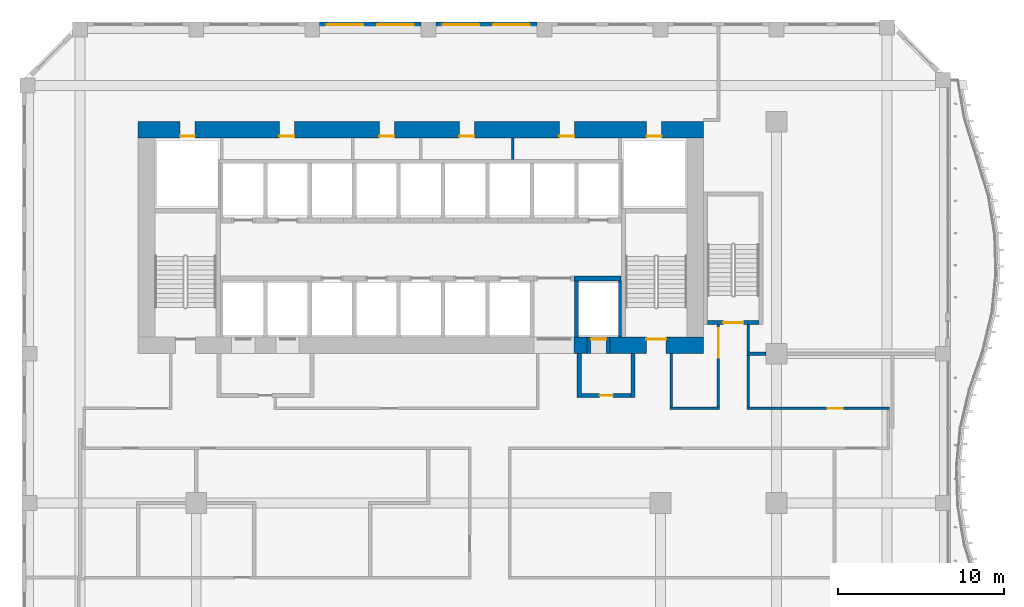
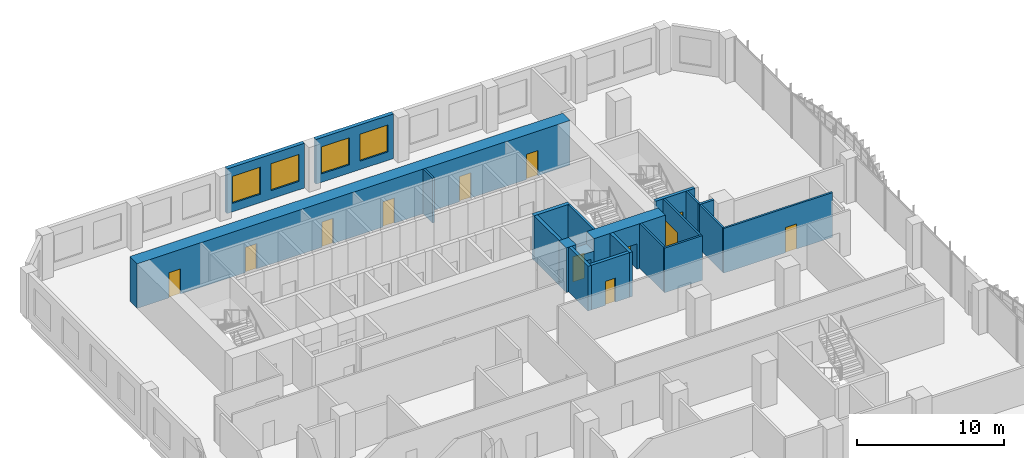
# One storey, part 14 of 25: 21 walls, 12 doors, 4 windows, 16 openings.
"""IFC4 building model written with IfcOpenShell, lengths in metres."""

from ifc_helpers import new_model, si_unit, direction, frame, frame_2d, origin, place, context, subcontext, project, spatial, rectangle, extrude, source, transform, mapped, material, layer, layer_set, type_object, element, fill, save


model = new_model("IFC4")

# Units and contexts
model_context = context("Model", 3, precision=1e-05, world=origin(), true_north=direction((0.0, 1.0)))
body_context = subcontext(model_context, "Body", "Model", "MODEL_VIEW")
ifc_project = project(units=[si_unit("LENGTHUNIT", "METRE"), si_unit("AREAUNIT", "SQUARE_METRE"), si_unit("VOLUMEUNIT", "CUBIC_METRE"), si_unit("PLANEANGLEUNIT", "RADIAN"), si_unit("MASSUNIT", "GRAM", prefix="KILO")], contexts=[model_context])

# Site, building, storey
site_placement = place(None, origin())
site = spatial("IfcSite", under=ifc_project, at=site_placement, CompositionType="ELEMENT")
building_placement = place(site_placement, origin())
building = spatial("IfcBuilding", under=site, at=building_placement, Name="Kilnfold Tower and Market Hall", CompositionType="ELEMENT")
storey_placement = place(building_placement, frame((0.0, 0.0, 67.199951171875)))
storey = spatial("IfcBuildingStorey", under=building, at=storey_placement, Name="L15", CompositionType="ELEMENT", Elevation=67.199951171875)

# Walls
ifc_material_1 = material(Name="Gypsum board on steel studs", Category="steel")
ifc_layer_1 = layer(ifc_material_1, 0.14990234375)
ifc_layer_set_1 = layer_set([ifc_layer_1], Name="Gypsum board on steel studs")
wall_type_1 = type_object("IfcWallType", Name="WALL CORRIDOR 150", PredefinedType="PARTITIONING", material=ifc_layer_set_1)
wall_1_placement = place(storey_placement, frame((16.14990234375, 4.77490234375, 0.0), z_axis=(0.0, 0.0, 1.0), x_axis=(0.0, 1.0, 0.0)))
element("IfcWall", 1, at=wall_1_placement, inside=storey, type_object=wall_type_1, Name="Partition LY12.21", PredefinedType="PARTITIONING", context=body_context, shape_type="SweptSolid", body=[
    extrude(rectangle(XDim=3.22509765625, YDim=0.14990234375, at=frame_2d((1.612548828125, 0.0))), origin(), (0.0, 0.0, 1.0), 3.719970703125),
])
wall_2_placement = place(storey_placement, frame((16.074951171875, 4.699951171875, 0.0), z_axis=(0.0, 0.0, 1.0), x_axis=(1.0, 0.0, 0.0)))
element("IfcWall", 2, at=wall_2_placement, inside=storey, type_object=wall_type_1, Name="Partition LY12.22", PredefinedType="PARTITIONING", context=body_context, shape_type="SweptSolid", body=[
    extrude(rectangle(XDim=3.0, YDim=0.14990234375, at=frame_2d((1.5, 0.0))), origin(), (0.0, 0.0, 1.0), 3.719970703125),
])

# Wall, opening, door
wall_3_placement = place(storey_placement, frame((19.0, 9.75, 0.0), z_axis=(0.0, 0.0, 1.0), x_axis=(0.0, -1.0, 0.0)))
wall_3 = element("IfcWall", 3, at=wall_3_placement, inside=storey, type_object=wall_type_1, Name="Partition LY12.23", PredefinedType="PARTITIONING", context=body_context, shape_type="SweptSolid", body=[
    extrude(rectangle(XDim=4.97509765625, YDim=0.14990234375, at=frame_2d((2.487548828125, 0.0))), origin(), (0.0, 0.0, 1.0), 3.719970703125),
])
opening_1_placement = place(wall_3_placement, frame((0.199951171875, 0.0, 0.0)))
opening_1 = element("IfcOpeningElement", 4, at=opening_1_placement, cuts=wall_3, Name="Opening D5", PredefinedType="OPENING", context=body_context, shape_type="SweptSolid", body=[
    extrude(rectangle(XDim=1.800048828125, YDim=2.10009765625, at=frame_2d((0.89990234375, 1.050048828125))), frame((0.0, 0.0849609375, 0.0), z_axis=(0.0, -1.0, 0.0), x_axis=(1.0, 0.0, 0.0)), (0.0, 0.0, 1.0), 0.169921875),
])
ifc_material_2 = material(Name="Timber veneer door leaf in steel frame", Category="steel")
door_type_1 = type_object("IfcDoorType", Name="DOOR DOUBLE 1800 X2100", OperationType="NOTDEFINED", PredefinedType="DOOR", material=ifc_material_2)
door_1_placement = place(opening_1_placement, origin())
door_1 = element("IfcDoor", 5, at=door_1_placement, inside=storey, type_object=door_type_1, Name="Door D5", OperationType="DOUBLE_DOOR_SINGLE_SWING", OverallHeight=2.10009765625, OverallWidth=1.800048828125, PredefinedType="DOOR", context=body_context, shape_type="SweptSolid", body=[
    extrude(rectangle(XDim=1.800048828125, YDim=2.10009765625, at=frame_2d((0.89990234375, 1.050048828125))), frame((0.0, 0.02490234375, 0.0), z_axis=(0.0, -1.0, 0.0), x_axis=(1.0, 0.0, 0.0)), (0.0, 0.0, 1.0), 0.050048828125),
])
fill(opening_1, door_1)

# Walls
wall_4_placement = place(storey_placement, frame((20.800048828125, 8.090087890625, 0.0), z_axis=(0.0, 0.0, 1.0), x_axis=(0.0, 1.0, 0.0)))
element("IfcWall", 6, at=wall_4_placement, inside=storey, type_object=wall_type_1, Name="Partition LY12.24", PredefinedType="PARTITIONING", context=body_context, shape_type="SweptSolid", body=[
    extrude(rectangle(XDim=1.659912109375, YDim=0.14990234375, at=frame_2d((0.830078125, 0.0))), origin(), (0.0, 0.0, 1.0), 3.719970703125),
])
wall_5_placement = place(storey_placement, frame((20.800048828125, 4.77490234375, 0.0), z_axis=(0.0, 0.0, 1.0), x_axis=(0.0, 1.0, 0.0)))
element("IfcWall", 7, at=wall_5_placement, inside=storey, type_object=wall_type_1, Name="Partition LY12.25", PredefinedType="PARTITIONING", context=body_context, shape_type="SweptSolid", body=[
    extrude(rectangle(XDim=3.135009765625, YDim=0.14990234375, at=frame_2d((1.5673828125, 0.0))), origin(), (0.0, 0.0, 1.0), 3.719970703125),
])

# Wall, opening, door
wall_6_placement = place(storey_placement, frame((20.72509765625, 4.699951171875, 0.0), z_axis=(0.0, 0.0, 1.0), x_axis=(1.0, 0.0, 0.0)))
wall_6 = element("IfcWall", 8, at=wall_6_placement, inside=storey, type_object=wall_type_1, Name="Partition LY12.26", PredefinedType="PARTITIONING", context=body_context, shape_type="SweptSolid", body=[
    extrude(rectangle(XDim=8.599853515625, YDim=0.14990234375, at=frame_2d((4.2998046875, 0.0))), origin(), (0.0, 0.0, 1.0), 3.719970703125),
])
opening_2_placement = place(wall_6_placement, frame((4.864013671875, 0.0, 0.0)))
opening_2 = element("IfcOpeningElement", 9, at=opening_2_placement, cuts=wall_6, Name="Opening D3", PredefinedType="OPENING", context=body_context, shape_type="SweptSolid", body=[
    extrude(rectangle(XDim=0.89990234375, YDim=2.10009765625, at=frame_2d((0.449951171875, 1.050048828125))), frame((0.0, 0.0849609375, 0.0), z_axis=(0.0, -1.0, 0.0), x_axis=(1.0, 0.0, 0.0)), (0.0, 0.0, 1.0), 0.169921875),
])
ifc_material_3 = material(Name="Timber veneer door leaf in steel frame", Category="steel")
door_type_2 = type_object("IfcDoorType", Name="DOOR WC 900 X2100", OperationType="NOTDEFINED", PredefinedType="DOOR", material=ifc_material_3)
door_2_placement = place(opening_2_placement, origin())
door_2 = element("IfcDoor", 10, at=door_2_placement, inside=storey, type_object=door_type_2, Name="Door D3", OperationType="SINGLE_SWING_LEFT", OverallHeight=2.10009765625, OverallWidth=0.89990234375, PredefinedType="DOOR", context=body_context, shape_type="SweptSolid", body=[
    extrude(rectangle(XDim=0.89990234375, YDim=2.10009765625, at=frame_2d((0.449951171875, 1.050048828125))), frame((0.0, 0.02490234375, 0.0), z_axis=(0.0, -1.0, 0.0), x_axis=(1.0, 0.0, 0.0)), (0.0, 0.0, 1.0), 0.050048828125),
])
fill(opening_2, door_2)

# Walls
ifc_material_4 = material(Name="Gypsum board on steel studs", Category="steel")
ifc_layer_2 = layer(ifc_material_4, 0.199951171875)
ifc_layer_set_2 = layer_set([ifc_layer_2], Name="Gypsum board on steel studs")
wall_type_2 = type_object("IfcWallType", Name="WALL PARTY 200", PredefinedType="PARTITIONING", material=ifc_layer_set_2)
wall_7_placement = place(storey_placement, frame((20.72607421875, 8.0, 0.0), z_axis=(0.0, 0.0, 1.0), x_axis=(1.0, 0.0, 0.0)))
element("IfcWall", 11, at=wall_7_placement, inside=storey, type_object=wall_type_2, Name="Partition LY12.56", PredefinedType="PARTITIONING", context=body_context, shape_type="SweptSolid", body=[
    extrude(rectangle(XDim=1.14892578125, YDim=0.199951171875, at=frame_2d((0.574462890625, 0.0))), origin(), (0.0, 0.0, 1.0), 3.719970703125),
])
ifc_material_5 = material(Name="Concrete C80", Category="concrete")
ifc_layer_3 = layer(ifc_material_5, 1.0)
ifc_layer_set_3 = layer_set([ifc_layer_3], Name="Concrete C80")
wall_type_3 = type_object("IfcWallType", Name="CORE WALL 1000 C80", PredefinedType="SHEAR", material=ifc_layer_set_3)
shared_shape_1 = source(origin(), body_context, "Body", "SweptSolid", [
    extrude(rectangle(XDim=0.780029296875, YDim=1.0, at=frame_2d((0.39013671875, 0.0))), origin(), (0.0, 0.0, 1.0), 3.719970703125),
])
wall_8_placement = place(storey_placement, frame((10.2900390625, 8.5, 0.0), z_axis=(0.0, 0.0, 1.0), x_axis=(1.0, 0.0, 0.0)))
element("IfcWall", 12, at=wall_8_placement, inside=storey, type_object=wall_type_3, Name="Core outer wall south", PredefinedType="SHEAR", context=body_context, shape_type="MappedRepresentation", body=[
    mapped(shared_shape_1, transform((0.0, 0.0, 0.0))),
])

# Wall, opening, door
shared_shape_2 = source(origin(), body_context, "Body", "SweptSolid", [
    extrude(rectangle(XDim=5.630126953125, YDim=1.0, at=frame_2d((2.81494140625, 0.0))), origin(), (0.0, 0.0, 1.0), 3.719970703125),
])
wall_9_placement = place(storey_placement, frame((12.469970703125, 8.5, 0.0), z_axis=(0.0, 0.0, 1.0), x_axis=(1.0, 0.0, 0.0)))
wall_9 = element("IfcWall", 13, at=wall_9_placement, inside=storey, type_object=wall_type_3, Name="Core outer wall south", PredefinedType="SHEAR", context=body_context, shape_type="MappedRepresentation", body=[
    mapped(shared_shape_2, transform((0.0, 0.0, 0.0))),
])
opening_3_placement = place(wall_9_placement, frame((2.179931640625, 0.0, 0.0)))
opening_3 = element("IfcOpeningElement", 14, at=opening_3_placement, cuts=wall_9, Name="Opening SD1", PredefinedType="OPENING", context=body_context, shape_type="SweptSolid", body=[
    extrude(rectangle(XDim=1.199951171875, YDim=2.10009765625, at=frame_2d((0.60009765625, 1.050048828125))), frame((0.0, 0.510009765625, 0.0), z_axis=(0.0, -1.0, 0.0), x_axis=(1.0, 0.0, 0.0)), (0.0, 0.0, 1.0), 1.02001953125),
])
ifc_material_6 = material(Name="Steel door set with fire-resisting leaf", Category="steel")
door_type_3 = type_object("IfcDoorType", Name="STAIR FLOOR DOOR 1200X2100", OperationType="NOTDEFINED", PredefinedType="DOOR", material=ifc_material_6)
door_3_placement = place(opening_3_placement, origin())
door_3 = element("IfcDoor", 15, at=door_3_placement, inside=storey, type_object=door_type_3, Name="Exit stair ST2 door", OperationType="DOUBLE_DOOR_SINGLE_SWING", OverallHeight=2.10009765625, OverallWidth=1.199951171875, PredefinedType="DOOR", context=body_context, shape_type="SweptSolid", body=[
    extrude(rectangle(XDim=1.199951171875, YDim=2.10009765625, at=frame_2d((0.60009765625, 1.050048828125))), frame((0.0, 0.40478515625, 0.0), z_axis=(0.0, -1.0, 0.0), x_axis=(1.0, 0.0, 0.0)), (0.0, 0.0, 1.0), 0.050048828125),
])
fill(opening_3, door_3)

# Wall, openings, doors
shared_shape_3 = source(origin(), body_context, "Body", "SweptSolid", [
    extrude(rectangle(XDim=34.10009765625, YDim=1.0, at=frame_2d((17.050048828125, 0.0))), origin(), (0.0, 0.0, 1.0), 3.719970703125),
])
wall_10_placement = place(storey_placement, frame((-16.0, 21.5, 0.0), z_axis=(0.0, 0.0, 1.0), x_axis=(1.0, 0.0, 0.0)))
wall_10 = element("IfcWall", 16, at=wall_10_placement, inside=storey, type_object=wall_type_3, Name="Core outer wall north", PredefinedType="SHEAR", context=body_context, shape_type="MappedRepresentation", body=[
    mapped(shared_shape_3, transform((0.0, 0.0, 0.0))),
])
opening_4_placement = place(wall_10_placement, frame((8.519775390625, 0.0, 0.0)))
opening_4 = element("IfcOpeningElement", 17, at=opening_4_placement, cuts=wall_10, Name="Opening KD1", PredefinedType="OPENING", context=body_context, shape_type="SweptSolid", body=[
    extrude(rectangle(XDim=0.89990234375, YDim=2.10009765625, at=frame_2d((0.449951171875, 1.050048828125))), frame((0.0, 0.510009765625, 0.0), z_axis=(0.0, -1.0, 0.0), x_axis=(1.0, 0.0, 0.0)), (0.0, 0.0, 1.0), 1.02001953125),
])
opening_5_placement = place(wall_10_placement, frame((14.5498046875, 0.0, 0.0)))
opening_5 = element("IfcOpeningElement", 18, at=opening_5_placement, cuts=wall_10, Name="Opening KD1", PredefinedType="OPENING", context=body_context, shape_type="SweptSolid", body=[
    extrude(rectangle(XDim=0.89990234375, YDim=2.10009765625, at=frame_2d((0.449951171875, 1.050048828125))), frame((0.0, 0.510009765625, 0.0), z_axis=(0.0, -1.0, 0.0), x_axis=(1.0, 0.0, 0.0)), (0.0, 0.0, 1.0), 1.02001953125),
])
opening_6_placement = place(wall_10_placement, frame((19.373779296875, 0.0, 0.0)))
opening_6 = element("IfcOpeningElement", 19, at=opening_6_placement, cuts=wall_10, Name="Opening KD1", PredefinedType="OPENING", context=body_context, shape_type="SweptSolid", body=[
    extrude(rectangle(XDim=0.89990234375, YDim=2.10009765625, at=frame_2d((0.449951171875, 1.050048828125))), frame((0.0, 0.510009765625, 0.0), z_axis=(0.0, -1.0, 0.0), x_axis=(1.0, 0.0, 0.0)), (0.0, 0.0, 1.0), 1.02001953125),
])
opening_7_placement = place(wall_10_placement, frame((25.40380859375, 0.0, 0.0)))
opening_7 = element("IfcOpeningElement", 20, at=opening_7_placement, cuts=wall_10, Name="Opening KD1", PredefinedType="OPENING", context=body_context, shape_type="SweptSolid", body=[
    extrude(rectangle(XDim=0.89990234375, YDim=2.10009765625, at=frame_2d((0.449951171875, 1.050048828125))), frame((0.0, 0.510009765625, 0.0), z_axis=(0.0, -1.0, 0.0), x_axis=(1.0, 0.0, 0.0)), (0.0, 0.0, 1.0), 1.02001953125),
])
opening_8_placement = place(wall_10_placement, frame((2.52490234375, 0.0, 0.0)))
opening_8 = element("IfcOpeningElement", 21, at=opening_8_placement, cuts=wall_10, Name="Opening KD1", PredefinedType="OPENING", context=body_context, shape_type="SweptSolid", body=[
    extrude(rectangle(XDim=0.89990234375, YDim=2.10009765625, at=frame_2d((0.449951171875, 1.050048828125))), frame((0.0, 0.510009765625, 0.0), z_axis=(0.0, -1.0, 0.0), x_axis=(1.0, 0.0, 0.0)), (0.0, 0.0, 1.0), 1.02001953125),
])
opening_9_placement = place(wall_10_placement, frame((30.675048828125, 0.0, 0.0)))
opening_9 = element("IfcOpeningElement", 22, at=opening_9_placement, cuts=wall_10, Name="Opening KD1", PredefinedType="OPENING", context=body_context, shape_type="SweptSolid", body=[
    extrude(rectangle(XDim=0.89990234375, YDim=2.10009765625, at=frame_2d((0.449951171875, 1.050048828125))), frame((0.0, 0.510009765625, 0.0), z_axis=(0.0, -1.0, 0.0), x_axis=(1.0, 0.0, 0.0)), (0.0, 0.0, 1.0), 1.02001953125),
])
ifc_material_7 = material(Name="Steel door set with fire-resisting leaf", Category="steel")
door_type_4 = type_object("IfcDoorType", Name="SERVICE DOOR 900X2100", OperationType="NOTDEFINED", PredefinedType="DOOR", material=ifc_material_7)
door_4_placement = place(opening_4_placement, origin())
door_4 = element("IfcDoor", 23, at=door_4_placement, inside=storey, type_object=door_type_4, Name="Core service door", OperationType="SINGLE_SWING_RIGHT", OverallHeight=2.10009765625, OverallWidth=0.89990234375, PredefinedType="DOOR", context=body_context, shape_type="SweptSolid", body=[
    extrude(rectangle(XDim=0.89990234375, YDim=2.10009765625, at=frame_2d((0.449951171875, 1.050048828125))), frame((0.0, -0.35498046875, 0.0), z_axis=(0.0, -1.0, 0.0), x_axis=(1.0, 0.0, 0.0)), (0.0, 0.0, 1.0), 0.050048828125),
])
fill(opening_4, door_4)
door_5_placement = place(opening_5_placement, origin())
door_5 = element("IfcDoor", 24, at=door_5_placement, inside=storey, type_object=door_type_4, Name="Core service door", OperationType="SINGLE_SWING_LEFT", OverallHeight=2.10009765625, OverallWidth=0.89990234375, PredefinedType="DOOR", context=body_context, shape_type="SweptSolid", body=[
    extrude(rectangle(XDim=0.89990234375, YDim=2.10009765625, at=frame_2d((0.449951171875, 1.050048828125))), frame((0.0, -0.35498046875, 0.0), z_axis=(0.0, -1.0, 0.0), x_axis=(1.0, 0.0, 0.0)), (0.0, 0.0, 1.0), 0.050048828125),
])
fill(opening_5, door_5)
door_6_placement = place(opening_6_placement, origin())
door_6 = element("IfcDoor", 25, at=door_6_placement, inside=storey, type_object=door_type_4, Name="Core service door", OperationType="SINGLE_SWING_RIGHT", OverallHeight=2.10009765625, OverallWidth=0.89990234375, PredefinedType="DOOR", context=body_context, shape_type="SweptSolid", body=[
    extrude(rectangle(XDim=0.89990234375, YDim=2.10009765625, at=frame_2d((0.449951171875, 1.050048828125))), frame((0.0, -0.35498046875, 0.0), z_axis=(0.0, -1.0, 0.0), x_axis=(1.0, 0.0, 0.0)), (0.0, 0.0, 1.0), 0.050048828125),
])
fill(opening_6, door_6)
door_7_placement = place(opening_7_placement, origin())
door_7 = element("IfcDoor", 26, at=door_7_placement, inside=storey, type_object=door_type_4, Name="Core service door", OperationType="SINGLE_SWING_LEFT", OverallHeight=2.10009765625, OverallWidth=0.89990234375, PredefinedType="DOOR", context=body_context, shape_type="SweptSolid", body=[
    extrude(rectangle(XDim=0.89990234375, YDim=2.10009765625, at=frame_2d((0.449951171875, 1.050048828125))), frame((0.0, -0.35498046875, 0.0), z_axis=(0.0, -1.0, 0.0), x_axis=(1.0, 0.0, 0.0)), (0.0, 0.0, 1.0), 0.050048828125),
])
fill(opening_7, door_7)
door_8_placement = place(opening_8_placement, origin())
door_8 = element("IfcDoor", 27, at=door_8_placement, inside=storey, type_object=door_type_4, Name="Electrical riser access door", OperationType="SINGLE_SWING_RIGHT", OverallHeight=2.10009765625, OverallWidth=0.89990234375, PredefinedType="DOOR", context=body_context, shape_type="SweptSolid", body=[
    extrude(rectangle(XDim=0.89990234375, YDim=2.10009765625, at=frame_2d((0.449951171875, 1.050048828125))), frame((0.0, -0.35498046875, 0.0), z_axis=(0.0, -1.0, 0.0), x_axis=(1.0, 0.0, 0.0)), (0.0, 0.0, 1.0), 0.050048828125),
])
fill(opening_8, door_8)
door_9_placement = place(opening_9_placement, origin())
door_9 = element("IfcDoor", 28, at=door_9_placement, inside=storey, type_object=door_type_4, Name="Mechanical riser access door", OperationType="SINGLE_SWING_LEFT", OverallHeight=2.10009765625, OverallWidth=0.89990234375, PredefinedType="DOOR", context=body_context, shape_type="SweptSolid", body=[
    extrude(rectangle(XDim=0.89990234375, YDim=2.10009765625, at=frame_2d((0.449951171875, 1.050048828125))), frame((0.0, -0.35498046875, 0.0), z_axis=(0.0, -1.0, 0.0), x_axis=(1.0, 0.0, 0.0)), (0.0, 0.0, 1.0), 0.050048828125),
])
fill(opening_9, door_9)

# Wall, opening, door
ifc_material_8 = material(Name="Concrete C80", Category="concrete")
ifc_layer_4 = layer(ifc_material_8, 0.25)
ifc_layer_set_4 = layer_set([ifc_layer_4], Name="Concrete C80")
wall_type_4 = type_object("IfcWallType", Name="CORE WALL 250 C80", PredefinedType="SHEAR", material=ifc_layer_set_4)
shared_shape_4 = source(origin(), body_context, "Body", "SweptSolid", [
    extrude(rectangle(XDim=3.099853515625, YDim=0.25, at=frame_2d((1.5498046875, 0.0))), origin(), (0.0, 0.0, 1.0), 3.719970703125),
])
wall_11_placement = place(storey_placement, frame((18.35009765625, 9.875, 0.0), z_axis=(0.0, 0.0, 1.0), x_axis=(1.0, 0.0, 0.0)))
wall_11 = element("IfcWall", 29, at=wall_11_placement, inside=storey, type_object=wall_type_4, Name="Stair enclosure ST5", PredefinedType="SHEAR", context=body_context, shape_type="MappedRepresentation", body=[
    mapped(shared_shape_4, transform((0.0, 0.0, 0.0))),
])
opening_10_placement = place(wall_11_placement, frame((0.949951171875, 0.0, 0.0)))
opening_10 = element("IfcOpeningElement", 30, at=opening_10_placement, cuts=wall_11, Name="Opening SD1", PredefinedType="OPENING", context=body_context, shape_type="SweptSolid", body=[
    extrude(rectangle(XDim=1.199951171875, YDim=2.10009765625, at=frame_2d((0.60009765625, 1.050048828125))), frame((0.0, 0.135009765625, 0.0), z_axis=(0.0, -1.0, 0.0), x_axis=(1.0, 0.0, 0.0)), (0.0, 0.0, 1.0), 0.27001953125),
])
door_10_placement = place(opening_10_placement, origin())
door_10 = element("IfcDoor", 31, at=door_10_placement, inside=storey, type_object=door_type_3, Name="Exit stair ST5 door", OperationType="DOUBLE_DOOR_SINGLE_SWING", OverallHeight=2.10009765625, OverallWidth=1.199951171875, PredefinedType="DOOR", context=body_context, shape_type="SweptSolid", body=[
    extrude(rectangle(XDim=1.199951171875, YDim=2.10009765625, at=frame_2d((0.60009765625, 1.050048828125))), frame((0.0, 0.02490234375, 0.0), z_axis=(0.0, -1.0, 0.0), x_axis=(1.0, 0.0, 0.0)), (0.0, 0.0, 1.0), 0.050048828125),
])
fill(opening_10, door_10)

# Wall
ifc_material_9 = material(Name="Concrete C80", Category="concrete")
ifc_layer_5 = layer(ifc_material_9, 0.300048828125)
ifc_layer_set_5 = layer_set([ifc_layer_5], Name="Concrete C80")
wall_type_5 = type_object("IfcWallType", Name="CORE WALL 300 C80", PredefinedType="SHEAR", material=ifc_layer_set_5)
shared_shape_5 = source(origin(), body_context, "Body", "SweptSolid", [
    extrude(rectangle(XDim=2.820068359375, YDim=0.300048828125, at=frame_2d((1.41015625, 0.0))), origin(), (0.0, 0.0, 1.0), 3.719970703125),
])
wall_12_placement = place(storey_placement, frame((10.2900390625, 12.550048828125, 0.0), z_axis=(0.0, 0.0, 1.0), x_axis=(1.0, 0.0, 0.0)))
element("IfcWall", 32, at=wall_12_placement, inside=storey, type_object=wall_type_5, Name="Core spine wall", PredefinedType="SHEAR", context=body_context, shape_type="MappedRepresentation", body=[
    mapped(shared_shape_5, transform((0.0, 0.0, 0.0))),
])

# Wall, openings, windows
ifc_material_10 = material(Name="Precast concrete C50/60", Category="concrete")
ifc_layer_6 = layer(ifc_material_10, 0.300048828125)
ifc_layer_set_6 = layer_set([ifc_layer_6], Name="Precast concrete C50/60")
wall_type_6 = type_object("IfcWallType", Name="PRECAST WALL 300", PredefinedType="SOLIDWALL", material=ifc_layer_set_6)
shared_shape_6 = source(origin(), body_context, "Body", "SweptSolid", [
    extrude(rectangle(XDim=6.10009765625, YDim=0.300048828125, at=frame_2d((3.050048828125, 0.0))), origin(), (0.0, 0.0, 1.0), 3.719970703125),
])
wall_13_placement = place(storey_placement, frame((8.050048828125, 27.85009765625, 0.0), z_axis=(0.0, 0.0, 1.0), x_axis=(-1.0, 0.0, 0.0)))
wall_13 = element("IfcWall", 33, at=wall_13_placement, inside=storey, type_object=wall_type_6, Name="External wall L15 N", PredefinedType="SOLIDWALL", context=body_context, shape_type="MappedRepresentation", body=[
    mapped(shared_shape_6, transform((0.0, 0.0, 0.0))),
])
opening_11_placement = place(wall_13_placement, frame((0.425048828125, 0.0, 0.699951171875)))
opening_11 = element("IfcOpeningElement", 34, at=opening_11_placement, cuts=wall_13, Name="Opening W1", PredefinedType="OPENING", context=body_context, shape_type="SweptSolid", body=[
    extrude(rectangle(XDim=2.199951171875, YDim=2.25, at=frame_2d((1.10009765625, 1.125))), frame((0.0, 0.16015625, 0.0), z_axis=(0.0, -1.0, 0.0), x_axis=(1.0, 0.0, 0.0)), (0.0, 0.0, 1.0), 0.320068359375),
])
opening_12_placement = place(wall_13_placement, frame((3.47509765625, 0.0, 0.699951171875)))
opening_12 = element("IfcOpeningElement", 35, at=opening_12_placement, cuts=wall_13, Name="Opening W1", PredefinedType="OPENING", context=body_context, shape_type="SweptSolid", body=[
    extrude(rectangle(XDim=2.199951171875, YDim=2.25, at=frame_2d((1.10009765625, 1.125))), frame((0.0, 0.16015625, 0.0), z_axis=(0.0, -1.0, 0.0), x_axis=(1.0, 0.0, 0.0)), (0.0, 0.0, 1.0), 0.320068359375),
])
ifc_material_11 = material(Name="Aluminium frame and double glazing", Category="aluminium")
window_type = type_object("IfcWindowType", Name="WINDOW W1 2200X2250", PartitioningType="SINGLE_PANEL", PredefinedType="WINDOW", material=ifc_material_11)
window_1_placement = place(opening_11_placement, origin())
window_1 = element("IfcWindow", 36, at=window_1_placement, inside=storey, type_object=window_type, Name="Window W1 L15 N-1", OverallHeight=2.25, OverallWidth=2.199951171875, PartitioningType="SINGLE_PANEL", PredefinedType="WINDOW", context=body_context, shape_type="SweptSolid", body=[
    extrude(rectangle(XDim=2.199951171875, YDim=2.25, at=frame_2d((1.10009765625, 1.125))), frame((0.0, 0.030029296875, 0.0), z_axis=(0.0, -1.0, 0.0), x_axis=(1.0, 0.0, 0.0)), (0.0, 0.0, 1.0), 0.06005859375),
])
fill(opening_11, window_1)
window_2_placement = place(opening_12_placement, origin())
window_2 = element("IfcWindow", 37, at=window_2_placement, inside=storey, type_object=window_type, Name="Window W1 L15 N-2", OverallHeight=2.25, OverallWidth=2.199951171875, PartitioningType="SINGLE_PANEL", PredefinedType="WINDOW", context=body_context, shape_type="SweptSolid", body=[
    extrude(rectangle(XDim=2.199951171875, YDim=2.25, at=frame_2d((1.10009765625, 1.125))), frame((0.0, 0.030029296875, 0.0), z_axis=(0.0, -1.0, 0.0), x_axis=(1.0, 0.0, 0.0)), (0.0, 0.0, 1.0), 0.06005859375),
])
fill(opening_12, window_2)

wall_14_placement = place(storey_placement, frame((1.050048828125, 27.85009765625, 0.0), z_axis=(0.0, 0.0, 1.0), x_axis=(-1.0, 0.0, 0.0)))
wall_14 = element("IfcWall", 38, at=wall_14_placement, inside=storey, type_object=wall_type_6, Name="External wall L15 N", PredefinedType="SOLIDWALL", context=body_context, shape_type="MappedRepresentation", body=[
    mapped(shared_shape_6, transform((0.0, 0.0, 0.0))),
])
opening_13_placement = place(wall_14_placement, frame((0.425048828125, 0.0, 0.699951171875)))
opening_13 = element("IfcOpeningElement", 39, at=opening_13_placement, cuts=wall_14, Name="Opening W1", PredefinedType="OPENING", context=body_context, shape_type="SweptSolid", body=[
    extrude(rectangle(XDim=2.199951171875, YDim=2.25, at=frame_2d((1.10009765625, 1.125))), frame((0.0, 0.16015625, 0.0), z_axis=(0.0, -1.0, 0.0), x_axis=(1.0, 0.0, 0.0)), (0.0, 0.0, 1.0), 0.320068359375),
])
opening_14_placement = place(wall_14_placement, frame((3.47509765625, 0.0, 0.699951171875)))
opening_14 = element("IfcOpeningElement", 40, at=opening_14_placement, cuts=wall_14, Name="Opening W1", PredefinedType="OPENING", context=body_context, shape_type="SweptSolid", body=[
    extrude(rectangle(XDim=2.199951171875, YDim=2.25, at=frame_2d((1.10009765625, 1.125))), frame((0.0, 0.16015625, 0.0), z_axis=(0.0, -1.0, 0.0), x_axis=(1.0, 0.0, 0.0)), (0.0, 0.0, 1.0), 0.320068359375),
])
window_3_placement = place(opening_13_placement, origin())
window_3 = element("IfcWindow", 41, at=window_3_placement, inside=storey, type_object=window_type, Name="Window W1 L15 N-1", OverallHeight=2.25, OverallWidth=2.199951171875, PartitioningType="SINGLE_PANEL", PredefinedType="WINDOW", context=body_context, shape_type="SweptSolid", body=[
    extrude(rectangle(XDim=2.199951171875, YDim=2.25, at=frame_2d((1.10009765625, 1.125))), frame((0.0, 0.030029296875, 0.0), z_axis=(0.0, -1.0, 0.0), x_axis=(1.0, 0.0, 0.0)), (0.0, 0.0, 1.0), 0.06005859375),
])
fill(opening_13, window_3)
window_4_placement = place(opening_14_placement, origin())
window_4 = element("IfcWindow", 42, at=window_4_placement, inside=storey, type_object=window_type, Name="Window W1 L15 N-2", OverallHeight=2.25, OverallWidth=2.199951171875, PartitioningType="SINGLE_PANEL", PredefinedType="WINDOW", context=body_context, shape_type="SweptSolid", body=[
    extrude(rectangle(XDim=2.199951171875, YDim=2.25, at=frame_2d((1.10009765625, 1.125))), frame((0.0, 0.030029296875, 0.0), z_axis=(0.0, -1.0, 0.0), x_axis=(1.0, 0.0, 0.0)), (0.0, 0.0, 1.0), 0.06005859375),
])
fill(opening_14, window_4)

# Wall, opening, door
ifc_material_12 = material(Name="Gypsum shaft wall system")
ifc_layer_7 = layer(ifc_material_12, 1.0)
ifc_layer_set_7 = layer_set([ifc_layer_7], Name="Gypsum shaft wall system")
wall_type_7 = type_object("IfcWallType", Name="LOBBY WALL 1000", PredefinedType="PARTITIONING", material=ifc_layer_set_7)
shared_shape_7 = source(origin(), body_context, "Body", "SweptSolid", [
    extrude(rectangle(XDim=1.39990234375, YDim=1.0, at=frame_2d((0.699951171875, 0.0))), origin(), (0.0, 0.0, 1.0), 2.699951171875),
])
wall_15_placement = place(storey_placement, frame((11.070068359375, 8.5, 0.0), z_axis=(0.0, 0.0, 1.0), x_axis=(1.0, 0.0, 0.0)))
wall_15 = element("IfcWall", 43, at=wall_15_placement, inside=storey, type_object=wall_type_7, Name="Core wall infill", PredefinedType="PARTITIONING", context=body_context, shape_type="MappedRepresentation", body=[
    mapped(shared_shape_7, transform((0.0, 0.0, 0.0))),
])
opening_15_placement = place(wall_15_placement, frame((0.25, 0.0, 0.0)))
opening_15 = element("IfcOpeningElement", 44, at=opening_15_placement, cuts=wall_15, Name="Opening LD1", PredefinedType="OPENING", context=body_context, shape_type="SweptSolid", body=[
    extrude(rectangle(XDim=0.89990234375, YDim=2.10009765625, at=frame_2d((0.449951171875, 1.050048828125))), frame((0.0, 0.510009765625, 0.0), z_axis=(0.0, -1.0, 0.0), x_axis=(1.0, 0.0, 0.0)), (0.0, 0.0, 1.0), 1.02001953125),
])
ifc_material_13 = material(Name="Steel door set with fire-resisting leaf", Category="steel")
door_type_5 = type_object("IfcDoorType", Name="FIREFIGHTING LANDING DOOR 900X2100", OperationType="NOTDEFINED", PredefinedType="DOOR", material=ifc_material_13)
door_11_placement = place(opening_15_placement, origin())
door_11 = element("IfcDoor", 45, at=door_11_placement, inside=storey, type_object=door_type_5, Name="Landing door FF3", OperationType="SLIDING_TO_LEFT", OverallHeight=2.10009765625, OverallWidth=0.89990234375, PredefinedType="DOOR", context=body_context, shape_type="SweptSolid", body=[
    extrude(rectangle(XDim=0.89990234375, YDim=2.10009765625, at=frame_2d((0.449951171875, 1.050048828125))), frame((0.0, 0.40478515625, 0.0), z_axis=(0.0, -1.0, 0.0), x_axis=(1.0, 0.0, 0.0)), (0.0, 0.0, 1.0), 0.050048828125),
])
fill(opening_15, door_11)

# Walls
ifc_material_14 = material(Name="Gypsum shaft wall system")
ifc_layer_8 = layer(ifc_material_14, 0.25)
ifc_layer_set_8 = layer_set([ifc_layer_8], Name="Gypsum shaft wall system")
wall_type_8 = type_object("IfcWallType", Name="LOBBY WALL 250", PredefinedType="PARTITIONING", material=ifc_layer_set_8)
shared_shape_8 = source(origin(), body_context, "Body", "SweptSolid", [
    extrude(rectangle(XDim=2.64990234375, YDim=0.25, at=frame_2d((1.324951171875, 0.0))), origin(), (0.0, 0.0, 1.0), 3.719970703125),
])
for number, where, z_axis, x_axis, name in (
    (46, (10.60498046875, 5.35009765625, 0.0), (0.0, 0.0, 1.0), (0.0, 1.0, 0.0), "Firefighting lobby wall"),
    (47, (13.85498046875, 5.35009765625, 0.0), (0.0, 0.0, 1.0), (0.0, 1.0, 0.0), "Firefighting lobby wall"),
):
    element("IfcWall", number, at=place(storey_placement, frame(where, z_axis=z_axis, x_axis=x_axis)), inside=storey, type_object=wall_type_8, Name=name, PredefinedType="PARTITIONING", context=body_context, shape_type="MappedRepresentation", body=[
        mapped(shared_shape_8, transform((0.0, 0.0, 0.0))),
    ])

# Wall, opening, door
shared_shape_9 = source(origin(), body_context, "Body", "SweptSolid", [
    extrude(rectangle(XDim=3.0, YDim=0.25, at=frame_2d((1.5, 0.0))), origin(), (0.0, 0.0, 1.0), 3.719970703125),
])
wall_16_placement = place(storey_placement, frame((10.72998046875, 5.47509765625, 0.0), z_axis=(0.0, 0.0, 1.0), x_axis=(1.0, 0.0, 0.0)))
wall_16 = element("IfcWall", 48, at=wall_16_placement, inside=storey, type_object=wall_type_8, Name="Firefighting lobby wall", PredefinedType="PARTITIONING", context=body_context, shape_type="MappedRepresentation", body=[
    mapped(shared_shape_9, transform((0.0, 0.0, 0.0))),
])
opening_16_placement = place(wall_16_placement, frame((1.10009765625, 0.0, 0.0)))
opening_16 = element("IfcOpeningElement", 49, at=opening_16_placement, cuts=wall_16, Name="Opening VD1", PredefinedType="OPENING", context=body_context, shape_type="SweptSolid", body=[
    extrude(rectangle(XDim=0.800048828125, YDim=2.0, at=frame_2d((0.39990234375, 1.0))), frame((0.0, 0.135009765625, 0.0), z_axis=(0.0, -1.0, 0.0), x_axis=(1.0, 0.0, 0.0)), (0.0, 0.0, 1.0), 0.27001953125),
])
ifc_material_15 = material(Name="Steel door set with fire-resisting leaf", Category="steel")
door_type_6 = type_object("IfcDoorType", Name="FIREFIGHTING LOBBY DOOR 800X2000", OperationType="NOTDEFINED", PredefinedType="DOOR", material=ifc_material_15)
door_12_placement = place(opening_16_placement, origin())
door_12 = element("IfcDoor", 50, at=door_12_placement, inside=storey, type_object=door_type_6, Name="Firefighting lobby door", OperationType="SINGLE_SWING_RIGHT", OverallHeight=2.0, OverallWidth=0.800048828125, PredefinedType="DOOR", context=body_context, shape_type="SweptSolid", body=[
    extrude(rectangle(XDim=0.800048828125, YDim=2.0, at=frame_2d((0.39990234375, 1.0))), frame((0.0, 0.02490234375, 0.0), z_axis=(0.0, -1.0, 0.0), x_axis=(1.0, 0.0, 0.0)), (0.0, 0.0, 1.0), 0.050048828125),
])
fill(opening_16, door_12)

# Walls
ifc_material_16 = material(Name="Gypsum shaft wall system")
ifc_layer_9 = layer(ifc_material_16, 0.25)
ifc_layer_set_9 = layer_set([ifc_layer_9], Name="Gypsum shaft wall system")
wall_type_9 = type_object("IfcWallType", Name="SHAFT WALL 250", PredefinedType="PARTITIONING", material=ifc_layer_set_9)
shared_shape_10 = source(origin(), body_context, "Body", "SweptSolid", [
    extrude(rectangle(XDim=3.39990234375, YDim=0.25, at=frame_2d((1.699951171875, 0.0))), origin(), (0.0, 0.0, 1.0), 3.719970703125),
])
wall_17_placement = place(storey_placement, frame((10.429931640625, 9.0, 0.0), z_axis=(0.0, 0.0, 1.0), x_axis=(0.0, 1.0, 0.0)))
element("IfcWall", 51, at=wall_17_placement, inside=storey, type_object=wall_type_9, Name="Lift shaft wall", PredefinedType="PARTITIONING", context=body_context, shape_type="MappedRepresentation", body=[
    mapped(shared_shape_10, transform((0.0, 0.0, 0.0))),
])
ifc_material_17 = material(Name="Gypsum shaft wall system")
ifc_layer_10 = layer(ifc_material_17, 0.1650390625)
ifc_layer_set_10 = layer_set([ifc_layer_10], Name="Gypsum shaft wall system")
wall_type_10 = type_object("IfcWallType", Name="SHAFT WALL 165", PredefinedType="PARTITIONING", material=ifc_layer_set_10)
shared_shape_11 = source(origin(), body_context, "Body", "SweptSolid", [
    extrude(rectangle(XDim=3.39990234375, YDim=0.1650390625, at=frame_2d((1.699951171875, 0.0))), origin(), (0.0, 0.0, 1.0), 3.719970703125),
])
wall_18_placement = place(storey_placement, frame((13.0673828125, 9.0, 0.0), z_axis=(0.0, 0.0, 1.0), x_axis=(0.0, 1.0, 0.0)))
element("IfcWall", 52, at=wall_18_placement, inside=storey, type_object=wall_type_10, Name="Lift shaft wall", PredefinedType="PARTITIONING", context=body_context, shape_type="MappedRepresentation", body=[
    mapped(shared_shape_11, transform((0.0, 0.0, 0.0))),
])
ifc_material_18 = material(Name="Gypsum shaft wall system")
ifc_layer_11 = layer(ifc_material_18, 0.14990234375)
ifc_layer_set_11 = layer_set([ifc_layer_11], Name="Gypsum shaft wall system")
wall_type_11 = type_object("IfcWallType", Name="ROOM WALL 150", PredefinedType="PARTITIONING", material=ifc_layer_set_11)
shared_shape_12 = source(origin(), body_context, "Body", "SweptSolid", [
    extrude(rectangle(XDim=1.27490234375, YDim=0.14990234375, at=frame_2d((0.637451171875, 0.0))), origin(), (0.0, 0.0, 1.0), 3.719970703125),
])
wall_19_placement = place(storey_placement, frame((6.59765625, 19.72509765625, 0.0), z_axis=(0.0, 0.0, 1.0), x_axis=(0.0, 1.0, 0.0)))
element("IfcWall", 53, at=wall_19_placement, inside=storey, type_object=wall_type_11, Name="Core room wall", PredefinedType="PARTITIONING", context=body_context, shape_type="MappedRepresentation", body=[
    mapped(shared_shape_12, transform((0.0, 0.0, 0.0))),
])

save(model, "model.ifc")
